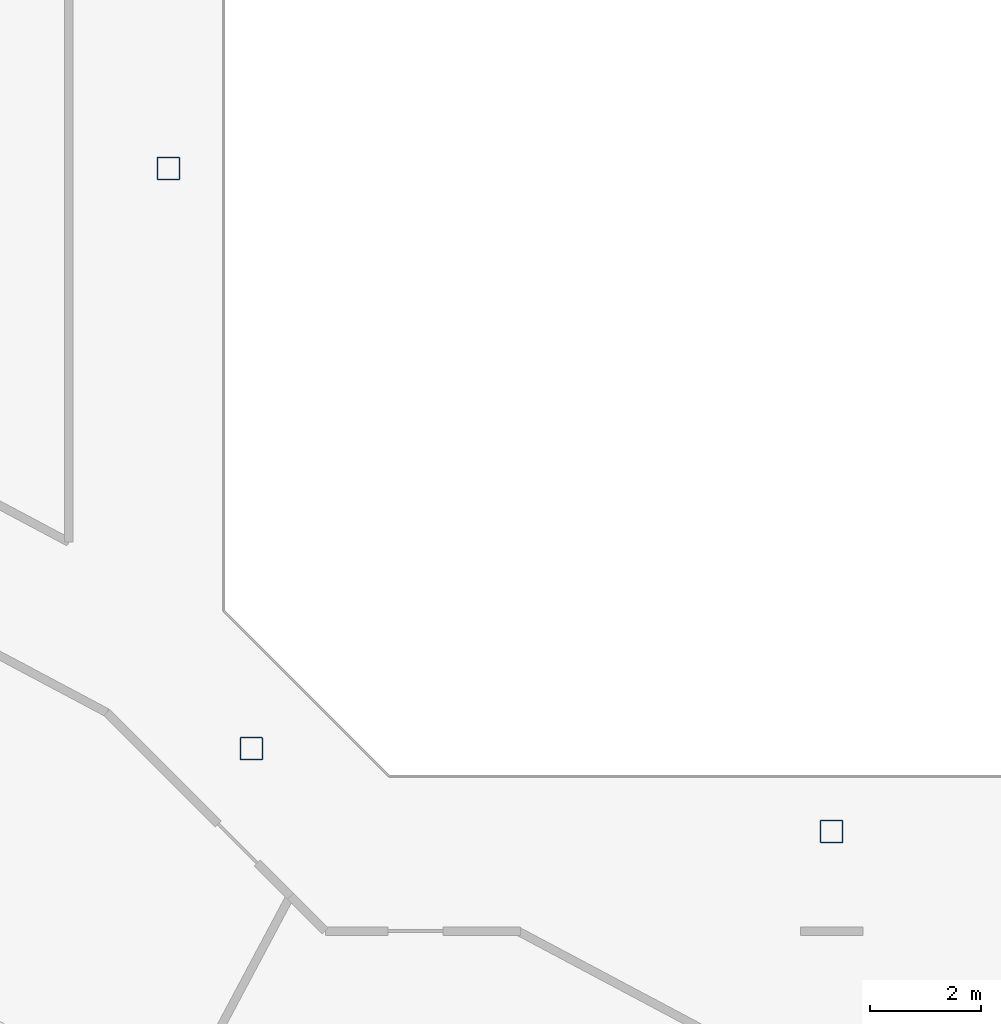
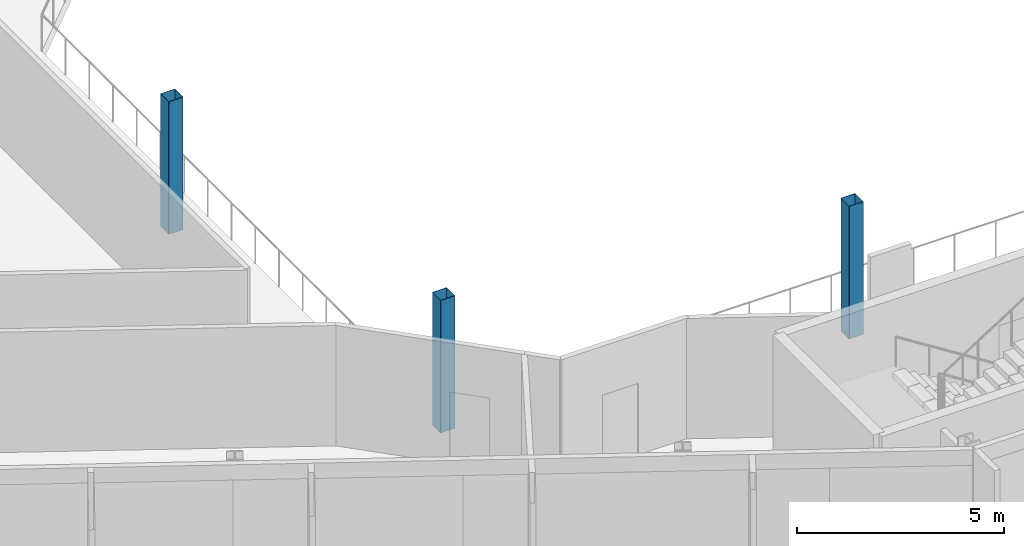
# One storey, part 2 of 26: 3 columns.
"""IFC4 building model written with IfcOpenShell, lengths in metres."""

from ifc_helpers import new_model, si_unit, direction, frame, origin, origin_2d, place, context, subcontext, project, spatial, hollow_rectangle, extrude, material, material_profile, profile_set, type_object, element, save


model = new_model("IFC4")

# Units and contexts
model_context = context("Model", 3, precision=1e-05, world=origin(), true_north=direction((0.0, 1.0)))
body_context = subcontext(model_context, "Body", "Model", "MODEL_VIEW")
ifc_project = project(units=[si_unit("LENGTHUNIT", "METRE"), si_unit("AREAUNIT", "SQUARE_METRE"), si_unit("VOLUMEUNIT", "CUBIC_METRE"), si_unit("PLANEANGLEUNIT", "RADIAN"), si_unit("MASSUNIT", "GRAM", prefix="KILO")], contexts=[model_context])

# Site, building, storey
site_placement = place(None, origin())
site = spatial("IfcSite", under=ifc_project, at=site_placement, CompositionType="ELEMENT")
building_placement = place(site_placement, origin())
building = spatial("IfcBuilding", under=site, at=building_placement, Name="Cormorant Relay Tower", CompositionType="ELEMENT")
storey_placement = place(building_placement, frame((0.0, 0.0, 285.300048828125)))
storey = spatial("IfcBuildingStorey", under=building, at=storey_placement, Name="L64", CompositionType="ELEMENT", Elevation=285.300048828125)

# Columns
ifc_material = material(Name="Steel ASTM A500 Grade C (Fy 345 MPa)", Category="steel")
ifc_material_profile = material_profile(ifc_material, hollow_rectangle(XDim=0.406494140625, YDim=0.406494140625, WallThickness=0.0087890625, InnerFilletRadius=0.00439453125, OuterFilletRadius=0.01318359375, at=origin_2d()), Name="HSS406x406x9")
ifc_profile_set = profile_set([ifc_material_profile], Name="Steel ASTM A500 Grade C (Fy 345 MPa)")
column_type = type_object("IfcColumnType", Name="Column HSS406x406x9", PredefinedType="COLUMN", material=ifc_profile_set)
for number, where, z_axis, x_axis, name in (
    (1, (0.0, -12.0, 0.0), (0.0, 0.0, 1.0), (1.0, 0.0, 0.0), "Column L64-007"),
    (2, (-10.5, -10.5, 0.0), (0.0, 0.0, 1.0), (1.0, 0.0, 0.0), "Column L64-009"),
    (3, (-12.0, 0.0, 0.0), (0.0, 0.0, 1.0), (1.0, 0.0, 0.0), "Column L64-015"),
):
    element("IfcColumn", number, at=place(storey_placement, frame(where, z_axis=z_axis, x_axis=x_axis)), inside=storey, type_object=column_type, Name=name, PredefinedType="COLUMN", context=body_context, shape_type="SweptSolid", body=[
        extrude(hollow_rectangle(XDim=0.406494140625, YDim=0.406494140625, WallThickness=0.0087890625, InnerFilletRadius=0.00439453125, OuterFilletRadius=0.01318359375, at=origin_2d()), origin(), (0.0, 0.0, 1.0), 3.89990234375),
    ])

save(model, "model.ifc")
